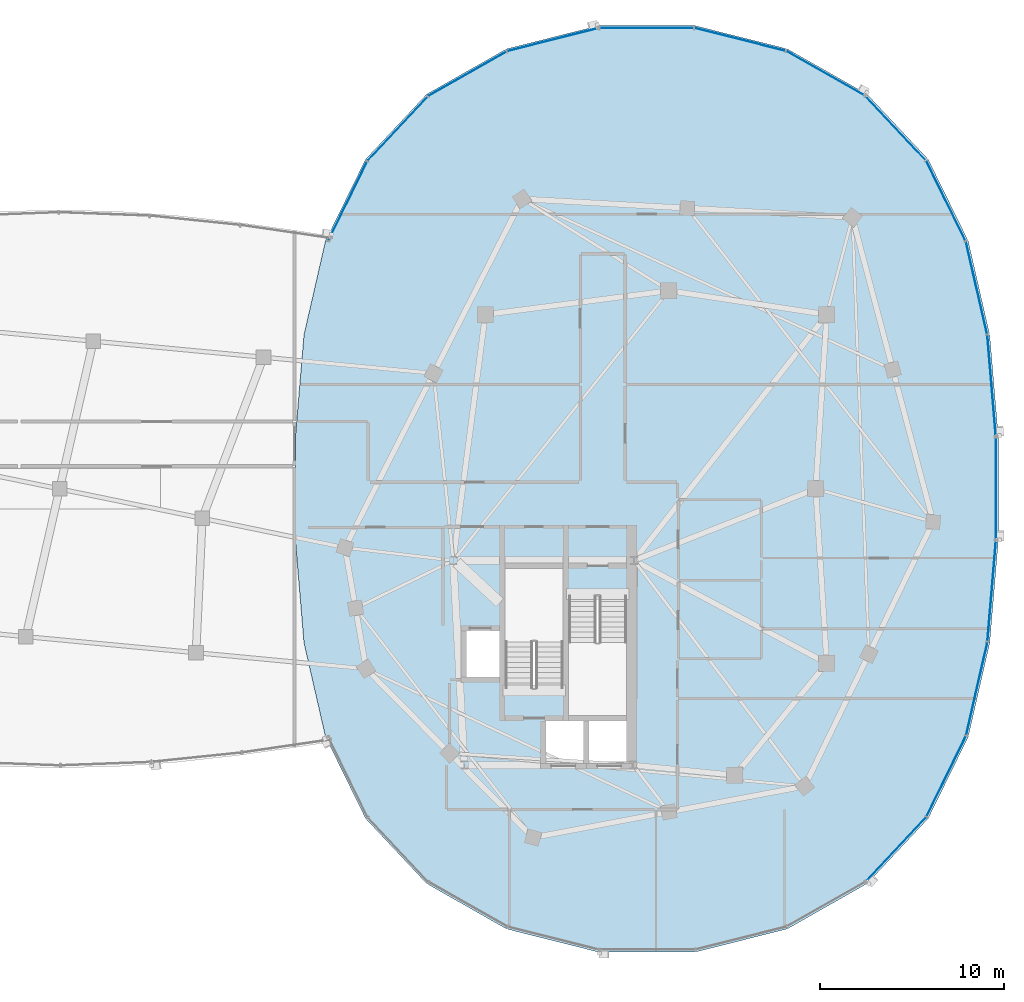
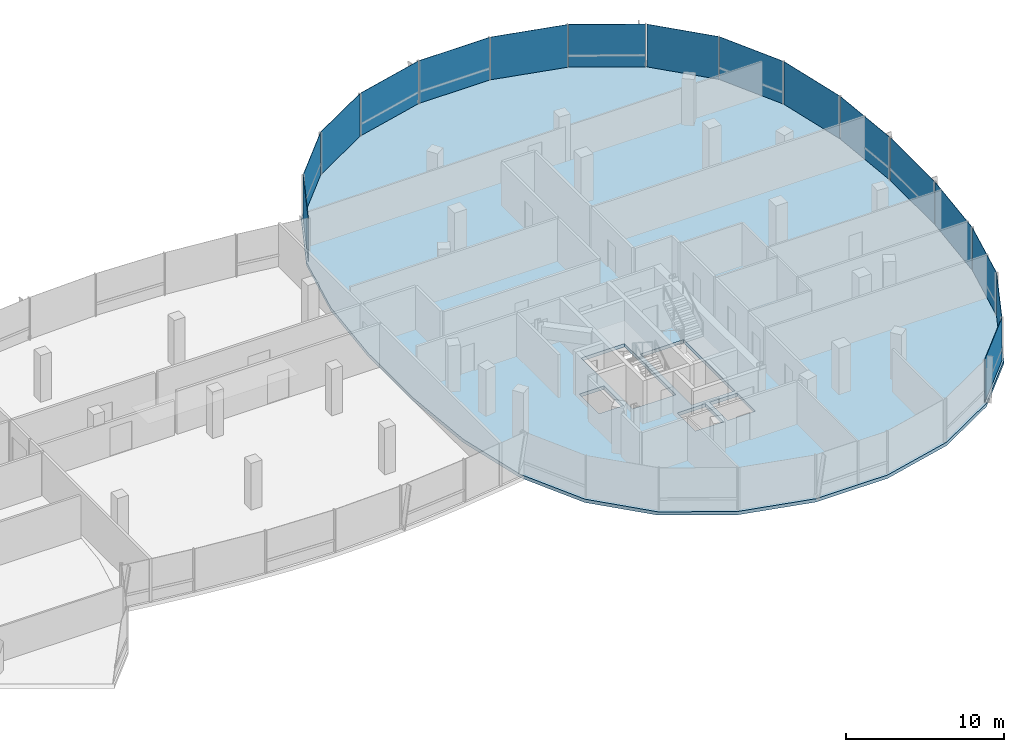
# One storey, part 13 of 26: 16 plates, 1 slab, 3 elements without a shape of their own.
"""IFC4 building model written with IfcOpenShell, lengths in metres."""

from ifc_helpers import new_model, si_unit, direction, frame, origin, origin_2d, place, context, subcontext, project, spatial, polyline, rectangle, outline, extrude, material, layer, layer_set, type_object, element, aggregate, save


model = new_model("IFC4")

# Units and contexts
model_context = context("Model", 3, precision=1e-05, world=origin(), true_north=direction((0.0, 1.0)))
body_context = subcontext(model_context, "Body", "Model", "MODEL_VIEW")
ifc_project = project(units=[si_unit("LENGTHUNIT", "METRE"), si_unit("AREAUNIT", "SQUARE_METRE"), si_unit("VOLUMEUNIT", "CUBIC_METRE"), si_unit("PLANEANGLEUNIT", "RADIAN"), si_unit("MASSUNIT", "GRAM", prefix="KILO"), si_unit("THERMODYNAMICTEMPERATUREUNIT", "KELVIN"), si_unit("POWERUNIT", "WATT")], contexts=[model_context])

# Site, building, storey
site_placement = place(None, origin())
site = spatial("IfcSite", under=ifc_project, at=site_placement, CompositionType="ELEMENT")
building_placement = place(site_placement, origin())
building = spatial("IfcBuilding", under=site, at=building_placement, Name="Cundina Bronze Exchange", CompositionType="ELEMENT")
storey_placement = place(building_placement, frame((0.0, 0.0, 264.800048828125)))
storey = spatial("IfcBuildingStorey", under=building, at=storey_placement, Name="L70", CompositionType="ELEMENT", Elevation=264.800048828125)

# Curtain wall, plates
ifc_material_1 = material(Name="Anodised Bronze Aluminium 6063-T6", Category="aluminium")
curtain_wall_type = type_object("IfcCurtainWallType", Name="CWS-SKG-BRG", PredefinedType="NOTDEFINED", material=ifc_material_1)
curtain_wall_1_placement = place(storey_placement, origin())
curtain_wall_1 = element("IfcCurtainWall", 1, at=curtain_wall_1_placement, inside=storey, type_object=curtain_wall_type, Name="L70 CW-06 Curtain Wall Run CWR-L70-E1", PredefinedType="NOTDEFINED")
ifc_material_2 = material(Name="Heat-Strengthened Solar-Control Bronze Safety Glass 28mm", Category="glass")
ifc_layer_1 = layer(ifc_material_2, 0.028076171875, Name="Heat-Strengthened Solar-Control Bronze Safety Glass 28mm", Category="glass")
ifc_layer_set_1 = layer_set([ifc_layer_1], Name="Heat-Strengthened Solar-Control Bronze Safety Glass 28mm")
plate_type_1 = type_object("IfcPlateType", Name="PLT-GLZ-VIS28", PredefinedType="CURTAIN_PANEL", material=ifc_layer_set_1)
plate_1_placement = place(storey_placement, frame((50.78662109375, 5.605712890625, 0.02001953125), z_axis=(0.0, 0.0, 1.0), x_axis=(-0.083747411454, 0.996487015006, 0.0)))
plate_1 = element("IfcPlate", 2, at=plate_1_placement, type_object=plate_type_1, Name="CW-06 Glazed Panel 1", PredefinedType="CURTAIN_PANEL", context=body_context, shape_type="SweptSolid", body=[
    extrude(rectangle(XDim=5.474609375, YDim=0.028076171875, at=origin_2d()), origin(), (0.0, 0.0, 1.0), 3.300048828125),
])
plate_2_placement = place(storey_placement, frame((49.96923828125, 10.922607421875, 0.02001953125), z_axis=(0.0, 0.0, 1.0), x_axis=(-0.223284141459, 0.974753400698, 0.0)))
plate_2 = element("IfcPlate", 3, at=plate_2_placement, type_object=plate_type_1, Name="CW-06 Glazed Panel 2", PredefinedType="CURTAIN_PANEL", context=body_context, shape_type="SweptSolid", body=[
    extrude(rectangle(XDim=5.167724609375, YDim=0.028076171875, at=origin_2d()), origin(), (0.0, 0.0, 1.0), 3.300048828125),
])
plate_3_placement = place(storey_placement, frame((48.30126953125, 15.68017578125, 0.02001953125), z_axis=(0.0, 0.0, 1.0), x_axis=(-0.440503330345, 0.897750976582, 0.0)))
plate_3 = element("IfcPlate", 4, at=plate_3_placement, type_object=plate_type_1, Name="CW-06 Glazed Panel 3", PredefinedType="CURTAIN_PANEL", context=body_context, shape_type="SweptSolid", body=[
    extrude(rectangle(XDim=4.863525390625, YDim=0.028076171875, at=origin_2d()), origin(), (0.0, 0.0, 1.0), 3.300048828125),
])
plate_4_placement = place(storey_placement, frame((45.568115234375, 19.64501953125, 0.02001953125), z_axis=(0.0, 0.0, 1.0), x_axis=(-0.684343512797, 0.72915976061, 0.0)))
plate_4 = element("IfcPlate", 5, at=plate_4_placement, type_object=plate_type_1, Name="CW-06 Glazed Panel 4", PredefinedType="CURTAIN_PANEL", context=body_context, shape_type="SweptSolid", body=[
    extrude(rectangle(XDim=4.773193359375, YDim=0.028076171875, at=origin_2d()), origin(), (0.0, 0.0, 1.0), 3.300048828125),
])
plate_5_placement = place(storey_placement, frame((37.109375, 24.4814453125, 0.02001953125), z_axis=(0.0, 0.0, 1.0), x_axis=(-0.969731542251, 0.244173577528, 0.0)))
plate_5 = element("IfcPlate", 6, at=plate_5_placement, type_object=plate_type_1, Name="CW-06 Glazed Panel 6", PredefinedType="CURTAIN_PANEL", context=body_context, shape_type="SweptSolid", body=[
    extrude(rectangle(XDim=5.0908203125, YDim=0.028076171875, at=origin_2d()), origin(), (0.0, 0.0, 1.0), 3.300048828125),
])
plate_6_placement = place(storey_placement, frame((32.0, 25.110107421875, 0.02001953125), z_axis=(0.0, 0.0, 1.0), x_axis=(-1.0, 0.0, 0.0)))
plate_6 = element("IfcPlate", 7, at=plate_6_placement, type_object=plate_type_1, Name="CW-06 Glazed Panel 7", PredefinedType="CURTAIN_PANEL", context=body_context, shape_type="SweptSolid", body=[
    extrude(rectangle(XDim=5.16796875, YDim=0.028076171875, at=origin_2d()), origin(), (0.0, 0.0, 1.0), 3.300048828125),
])

curtain_wall_2_placement = place(storey_placement, origin())
curtain_wall_2 = element("IfcCurtainWall", 8, at=curtain_wall_2_placement, inside=storey, type_object=curtain_wall_type, Name="L70 CW-06 Curtain Wall Run CWR-L70-E2", PredefinedType="NOTDEFINED")
plate_7_placement = place(storey_placement, frame((26.890625, 24.4814453125, 0.02001953125), z_axis=(0.0, 0.0, 1.0), x_axis=(-0.969731542251, -0.244173577528, 0.0)))
plate_7 = element("IfcPlate", 9, at=plate_7_placement, type_object=plate_type_1, Name="CW-06 Glazed Panel 1", PredefinedType="CURTAIN_PANEL", context=body_context, shape_type="SweptSolid", body=[
    extrude(rectangle(XDim=5.0908203125, YDim=0.028076171875, at=origin_2d()), origin(), (0.0, 0.0, 1.0), 3.300048828125),
])
plate_8_placement = place(storey_placement, frame((22.23828125, 22.6279296875, 0.02001953125), z_axis=(0.0, 0.0, 1.0), x_axis=(-0.869572506985, -0.493805280547, 0.0)))
plate_8 = element("IfcPlate", 10, at=plate_8_placement, type_object=plate_type_1, Name="CW-06 Glazed Panel 2", PredefinedType="CURTAIN_PANEL", context=body_context, shape_type="SweptSolid", body=[
    extrude(rectangle(XDim=4.907958984375, YDim=0.028076171875, at=origin_2d()), origin(), (0.0, 0.0, 1.0), 3.300048828125),
])
plate_9_placement = place(storey_placement, frame((18.431884765625, 19.64501953125, 0.02001953125), z_axis=(0.0, 0.0, 1.0), x_axis=(-0.684343512797, -0.72915976061, 0.0)))
plate_9 = element("IfcPlate", 11, at=plate_9_placement, type_object=plate_type_1, Name="CW-06 Glazed Panel 3", PredefinedType="CURTAIN_PANEL", context=body_context, shape_type="SweptSolid", body=[
    extrude(rectangle(XDim=4.773193359375, YDim=0.028076171875, at=origin_2d()), origin(), (0.0, 0.0, 1.0), 3.300048828125),
])

curtain_wall_3_placement = place(storey_placement, origin())
curtain_wall_3 = element("IfcCurtainWall", 12, at=curtain_wall_3_placement, inside=storey, type_object=curtain_wall_type, Name="L70 CW-06 Curtain Wall Run CWR-L70-E4", PredefinedType="NOTDEFINED")
plate_10_placement = place(storey_placement, frame((45.568115234375, -19.64501953125, 0.02001953125), z_axis=(0.0, 0.0, 1.0), x_axis=(0.684343512797, 0.72915976061, 0.0)))
plate_10 = element("IfcPlate", 13, at=plate_10_placement, type_object=plate_type_1, Name="CW-06 Glazed Panel 1", PredefinedType="CURTAIN_PANEL", context=body_context, shape_type="SweptSolid", body=[
    extrude(rectangle(XDim=4.773193359375, YDim=0.028076171875, at=origin_2d()), origin(), (0.0, 0.0, 1.0), 3.300048828125),
])
plate_11_placement = place(storey_placement, frame((49.96923828125, -10.922607421875, 0.02001953125), z_axis=(0.0, 0.0, 1.0), x_axis=(0.223284141459, 0.974753400698, 0.0)))
plate_11 = element("IfcPlate", 14, at=plate_11_placement, type_object=plate_type_1, Name="CW-06 Glazed Panel 3", PredefinedType="CURTAIN_PANEL", context=body_context, shape_type="SweptSolid", body=[
    extrude(rectangle(XDim=5.167724609375, YDim=0.028076171875, at=origin_2d()), origin(), (0.0, 0.0, 1.0), 3.300048828125),
])
plate_12_placement = place(storey_placement, frame((50.78662109375, -5.605712890625, 0.02001953125), z_axis=(0.0, 0.0, 1.0), x_axis=(0.083747411454, 0.996487015006, 0.0)))
plate_12 = element("IfcPlate", 15, at=plate_12_placement, type_object=plate_type_1, Name="CW-06 Glazed Panel 4", PredefinedType="CURTAIN_PANEL", context=body_context, shape_type="SweptSolid", body=[
    extrude(rectangle(XDim=5.474609375, YDim=0.028076171875, at=origin_2d()), origin(), (0.0, 0.0, 1.0), 3.300048828125),
])
plate_13_placement = place(storey_placement, frame((51.01904296875, 0.0, 0.02001953125), z_axis=(0.0, 0.0, 1.0), x_axis=(0.0, 1.0, 0.0)))
plate_13 = element("IfcPlate", 16, at=plate_13_placement, type_object=plate_type_1, Name="CW-06 Glazed Panel 5", PredefinedType="CURTAIN_PANEL", context=body_context, shape_type="SweptSolid", body=[
    extrude(rectangle(XDim=5.597900390625, YDim=0.028076171875, at=origin_2d()), origin(), (0.0, 0.0, 1.0), 3.300048828125),
])

# Plate
ifc_material_3 = material(Name="Dark Bronze Spandrel Glass Panel 32mm", Category="glass")
ifc_layer_2 = layer(ifc_material_3, 0.031982421875, Name="Dark Bronze Spandrel Glass Panel 32mm", Category="glass")
ifc_layer_set_2 = layer_set([ifc_layer_2], Name="Dark Bronze Spandrel Glass Panel 32mm")
plate_type_2 = type_object("IfcPlateType", Name="PLT-SPN-BRZ32", PredefinedType="CURTAIN_PANEL", material=ifc_layer_set_2)
plate_14_placement = place(storey_placement, frame((41.76171875, 22.6279296875, 0.02001953125), z_axis=(0.0, 0.0, 1.0), x_axis=(-0.869572506985, 0.493805280547, 0.0)))
plate_14 = element("IfcPlate", 17, at=plate_14_placement, type_object=plate_type_2, Name="CW-06 Glazed Panel 5", PredefinedType="CURTAIN_PANEL", context=body_context, shape_type="SweptSolid", body=[
    extrude(rectangle(XDim=4.907958984375, YDim=0.031982421875, at=origin_2d()), origin(), (0.0, 0.0, 1.0), 3.300048828125),
])

aggregate(curtain_wall_1, [plate_1, plate_2, plate_3, plate_4, plate_14, plate_5, plate_6])

plate_15_placement = place(storey_placement, frame((15.69873046875, 15.68017578125, 0.02001953125), z_axis=(0.0, 0.0, 1.0), x_axis=(-0.440503330345, -0.897750976582, 0.0)))
plate_15 = element("IfcPlate", 18, at=plate_15_placement, type_object=plate_type_2, Name="CW-06 Glazed Panel 4", PredefinedType="CURTAIN_PANEL", context=body_context, shape_type="SweptSolid", body=[
    extrude(rectangle(XDim=4.863525390625, YDim=0.031982421875, at=origin_2d()), origin(), (0.0, 0.0, 1.0), 3.300048828125),
])

aggregate(curtain_wall_2, [plate_7, plate_8, plate_9, plate_15])

plate_16_placement = place(storey_placement, frame((48.30126953125, -15.68017578125, 0.02001953125), z_axis=(0.0, 0.0, 1.0), x_axis=(0.440503330345, 0.897750976582, 0.0)))
plate_16 = element("IfcPlate", 19, at=plate_16_placement, type_object=plate_type_2, Name="CW-06 Glazed Panel 2", PredefinedType="CURTAIN_PANEL", context=body_context, shape_type="SweptSolid", body=[
    extrude(rectangle(XDim=4.863525390625, YDim=0.031982421875, at=origin_2d()), origin(), (0.0, 0.0, 1.0), 3.300048828125),
])

aggregate(curtain_wall_3, [plate_10, plate_16, plate_11, plate_12, plate_13])

# Slab
ifc_material_4 = material(Name="Concrete C50/60", Category="concrete")
ifc_layer_3 = layer(ifc_material_4, 0.260009765625, Name="Concrete C50/60", Category="concrete")
ifc_layer_set_3 = layer_set([ifc_layer_3], Name="Concrete C50/60")
slab_type = type_object("IfcSlabType", Name="SLB-OFF-260", PredefinedType="FLOOR", material=ifc_layer_set_3)
slab_placement = place(storey_placement, frame((0.0, 0.0, -0.260009765625)))
element("IfcSlab", 20, at=slab_placement, inside=storey, type_object=slab_type, Name="L70 Leg E Structural Floor Slab", PredefinedType="FLOOR", context=body_context, shape_type="SweptSolid", body=[
    extrude(outline(polyline([(51.14892578125, 2.843994140625), (50.68310546875, 8.388916015625), (49.509033203125, 13.513916015625), (47.326904296875, 17.9609375), (43.9990234375, 21.507080078125), (39.653076171875, 23.97509765625), (34.62890625, 25.239990234375), (29.37109375, 25.239990234375), (24.346923828125, 23.97509765625), (20.0009765625, 21.507080078125), (16.673095703125, 17.9609375), (14.490966796875, 13.513916015625), (13.31689453125, 8.388916015625), (12.85107421875, 2.843994140625), (12.85107421875, -2.843994140625), (13.31689453125, -8.388916015625), (14.490966796875, -13.513916015625), (16.673095703125, -17.9609375), (20.0009765625, -21.507080078125), (24.346923828125, -23.97509765625), (29.37109375, -25.239990234375), (34.62890625, -25.239990234375), (39.653076171875, -23.97509765625), (43.9990234375, -21.507080078125), (47.326904296875, -17.9609375), (49.509033203125, -13.513916015625), (50.68310546875, -8.388916015625), (51.14892578125, -2.843994140625), (51.14892578125, 2.843994140625)]), holes=[polyline([(27.739990234375, -5.85009765625), (27.739990234375, -12.35009765625), (30.89990234375, -12.35009765625), (30.89990234375, -5.85009765625), (27.739990234375, -5.85009765625)]), polyline([(27.43994140625, -10.85009765625), (27.43994140625, -4.35009765625), (24.280029296875, -4.35009765625), (24.280029296875, -10.85009765625), (27.43994140625, -10.85009765625)]), polyline([(22.179931640625, -7.75), (23.97998046875, -7.75), (23.97998046875, -10.25), (22.179931640625, -10.25), (22.179931640625, -7.75)]), polyline([(28.85009765625, -12.64990234375), (30.89990234375, -12.64990234375), (30.89990234375, -14.949951171875), (28.85009765625, -14.949951171875), (28.85009765625, -12.64990234375)]), polyline([(26.5, -12.64990234375), (28.550048828125, -12.64990234375), (28.550048828125, -14.949951171875), (26.5, -14.949951171875), (26.5, -12.64990234375)])]), origin(), (0.0, 0.0, 1.0), 0.260009765625),
])

save(model, "model.ifc")
